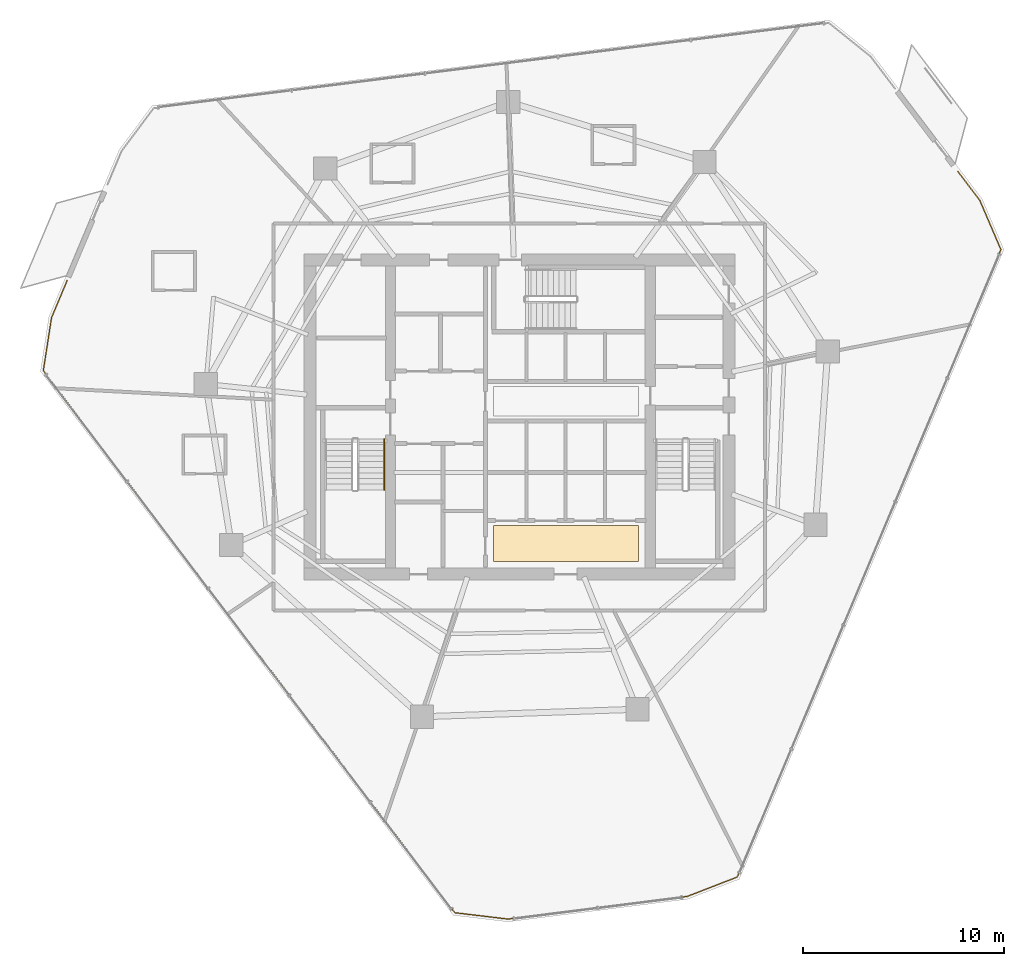
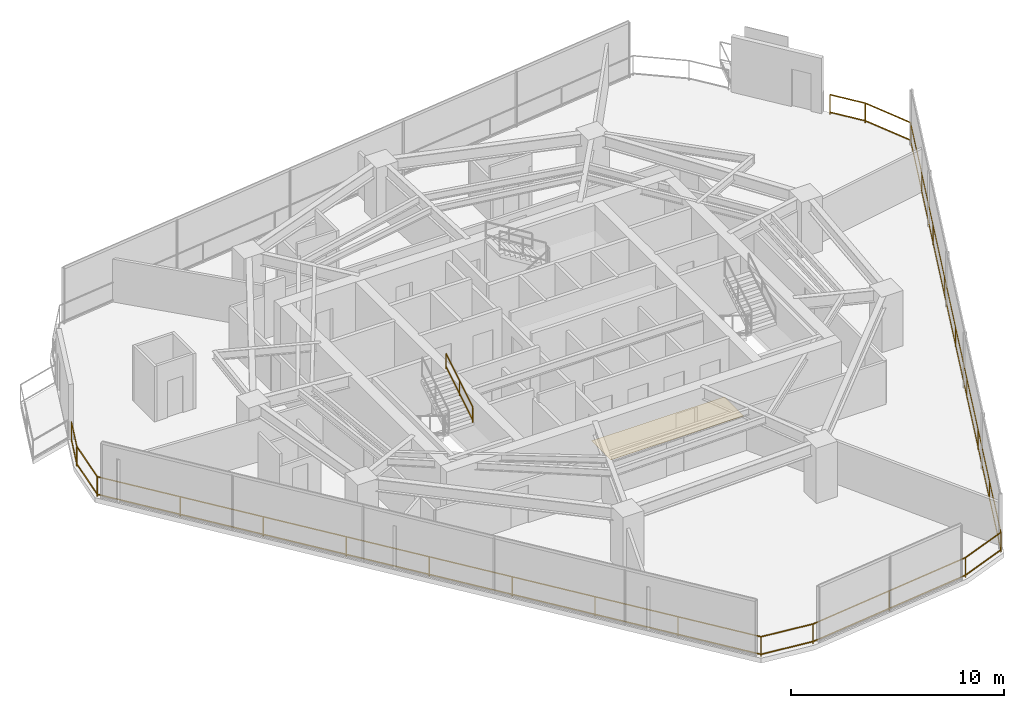
# One storey, part 29 of 30: 2 railings, 1 covering.
"""IFC4 building model written with IfcOpenShell, lengths in metres."""

from ifc_helpers import new_model, si_unit, direction, frame, origin, origin_2d, place, context, subcontext, project, spatial, rectangle, extrude, material, layer, layer_set, type_object, element, save


model = new_model("IFC4")

# Units and contexts
model_context = context("Model", 3, precision=1e-05, world=origin(), true_north=direction((0.0, 1.0)))
body_context = subcontext(model_context, "Body", "Model", "MODEL_VIEW")
ifc_project = project(units=[si_unit("LENGTHUNIT", "METRE"), si_unit("AREAUNIT", "SQUARE_METRE"), si_unit("VOLUMEUNIT", "CUBIC_METRE"), si_unit("PLANEANGLEUNIT", "RADIAN"), si_unit("MASSUNIT", "GRAM", prefix="KILO")], contexts=[model_context])

# Site, building, storey
site_placement = place(None, origin())
site = spatial("IfcSite", under=ifc_project, at=site_placement, CompositionType="ELEMENT")
building_placement = place(site_placement, origin())
building = spatial("IfcBuilding", under=site, at=building_placement, Name="Qarnah Convention Tower", CompositionType="ELEMENT")
storey_placement = place(building_placement, frame((0.0, 0.0, 93.60009765625)))
storey = spatial("IfcBuildingStorey", under=building, at=storey_placement, Name="L24", CompositionType="ELEMENT", Elevation=93.60009765625)

# Covering
ifc_material_1 = material(Name="Porcelain stone floor tile", Category="masonry")
ifc_layer = layer(ifc_material_1, 0.02001953125)
ifc_layer_set = layer_set([ifc_layer], Name="Porcelain stone floor tile")
covering_type = type_object("IfcCoveringType", Name="COV-FLOOR-20", PredefinedType="FLOORING", material=ifc_layer_set)
covering_placement = place(storey_placement, frame((39.52001953125, 20.1201171875, 0.0), z_axis=(0.0, 0.0, 1.0), x_axis=(1.0, 0.0, 0.0)))
element("IfcCovering", 1, at=covering_placement, inside=storey, type_object=covering_type, Name="L24 lift lobby porcelain stone flooring", PredefinedType="FLOORING", context=body_context, shape_type="SweptSolid", body=[
    extrude(rectangle(XDim=7.199951171875, YDim=1.800048828125, at=origin_2d()), origin(), (0.0, 0.0, 1.0), 0.02001953125),
])

# Railings
ifc_material_2 = material(Name="Black anodised aluminium", Category="aluminium")
railing_type_1 = type_object("IfcRailingType", Name="RL-EXT-GUARD-1150", PredefinedType="GUARDRAIL", material=ifc_material_2)
railing_1_placement = place(storey_placement, frame((58.972900390625, 38.5830078125, 0.0)))
element("IfcRailing", 2, at=railing_1_placement, inside=storey, type_object=railing_type_1, Name="L24 slab-edge perimeter safety guard 02", PredefinedType="GUARDRAIL", context=body_context, shape_type="SweptSolid", body=[
    extrude(rectangle(XDim=0.048095703125, YDim=0.048095703125, at=origin_2d()), frame((0.0, 0.0, 1.1259765625), z_axis=(0.604543669935, -0.796571999973, 0.0), x_axis=(0.796571999973, 0.604543669935, 0.0)), (0.0, 0.0, 1.0), 1.801513671875),
    extrude(rectangle(XDim=0.048095703125, YDim=0.048095703125, at=origin_2d()), frame((0.0, 0.0, 0.1201171875), z_axis=(0.604543669935, -0.796571999973, 0.0), x_axis=(0.796571999973, 0.604543669935, 0.0)), (0.0, 0.0, 1.0), 1.801513671875),
    extrude(rectangle(XDim=0.048095703125, YDim=0.048095703125, at=origin_2d()), frame((1.089111328125, -1.43505859375, 1.1259765625), z_axis=(0.39389712528, -0.919154532544, 0.0), x_axis=(0.919154532544, 0.39389712528, 0.0)), (0.0, 0.0, 1.0), 2.65771484375),
    extrude(rectangle(XDim=0.048095703125, YDim=0.048095703125, at=origin_2d()), frame((1.089111328125, -1.43505859375, 0.1201171875), z_axis=(0.39389712528, -0.919154532544, 0.0), x_axis=(0.919154532544, 0.39389712528, 0.0)), (0.0, 0.0, 1.0), 2.65771484375),
    extrude(rectangle(XDim=0.048095703125, YDim=0.048095703125, at=origin_2d()), frame((2.135986328125, -3.8779296875, 1.1259765625), z_axis=(-0.387520673589, -0.921861013136, 0.0), x_axis=(0.921861013136, -0.387520673589, 0.0)), (0.0, 0.0, 1.0), 33.785888671875),
    extrude(rectangle(XDim=0.048095703125, YDim=0.048095703125, at=origin_2d()), frame((2.135986328125, -3.8779296875, 0.1201171875), z_axis=(-0.387520673589, -0.921861013136, 0.0), x_axis=(0.921861013136, -0.387520673589, 0.0)), (0.0, 0.0, 1.0), 33.785888671875),
    extrude(rectangle(XDim=0.048095703125, YDim=0.048095703125, at=origin_2d()), frame((-10.956787109375, -35.02392578125, 1.1259765625), z_axis=(-0.932321495319, -0.361630514982, 0.0), x_axis=(0.361630514982, -0.932321495319, 0.0)), (0.0, 0.0, 1.0), 2.657958984375),
    extrude(rectangle(XDim=0.048095703125, YDim=0.048095703125, at=origin_2d()), frame((-10.956787109375, -35.02392578125, 0.1201171875), z_axis=(-0.932321495319, -0.361630514982, 0.0), x_axis=(0.361630514982, -0.932321495319, 0.0)), (0.0, 0.0, 1.0), 2.657958984375),
    extrude(rectangle(XDim=0.048095703125, YDim=0.048095703125, at=origin_2d()), frame((-13.434814453125, -35.985107421875, 1.1259765625), z_axis=(-0.99210568885, -0.125404553949, 0.0), x_axis=(0.125404553949, -0.99210568885, 0.0)), (0.0, 0.0, 1.0), 8.970947265625),
    extrude(rectangle(XDim=0.048095703125, YDim=0.048095703125, at=origin_2d()), frame((-13.434814453125, -35.985107421875, 0.1201171875), z_axis=(-0.99210568885, -0.125404553949, 0.0), x_axis=(0.125404553949, -0.99210568885, 0.0)), (0.0, 0.0, 1.0), 8.970947265625),
    extrude(rectangle(XDim=0.048095703125, YDim=0.048095703125, at=origin_2d()), frame((-22.3349609375, -37.110107421875, 1.1259765625), z_axis=(-0.992942757339, 0.118594606321, 0.0), x_axis=(-0.118594606321, -0.992942757339, 0.0)), (0.0, 0.0, 1.0), 2.65771484375),
    extrude(rectangle(XDim=0.048095703125, YDim=0.048095703125, at=origin_2d()), frame((-22.3349609375, -37.110107421875, 0.1201171875), z_axis=(-0.992942757339, 0.118594606321, 0.0), x_axis=(-0.118594606321, -0.992942757339, 0.0)), (0.0, 0.0, 1.0), 2.65771484375),
    extrude(rectangle(XDim=0.048095703125, YDim=0.048095703125, at=origin_2d()), frame((-24.973876953125, -36.794921875, 1.1259765625), z_axis=(-0.604631742116, 0.796505151537, 0.0), x_axis=(-0.796505151537, -0.604631742116, 0.0)), (0.0, 0.0, 1.0), 33.787353515625),
    extrude(rectangle(XDim=0.048095703125, YDim=0.048095703125, at=origin_2d()), frame((-24.973876953125, -36.794921875, 0.1201171875), z_axis=(-0.604631742116, 0.796505151537, 0.0), x_axis=(-0.796505151537, -0.604631742116, 0.0)), (0.0, 0.0, 1.0), 33.787353515625),
    extrude(rectangle(XDim=0.048095703125, YDim=0.048095703125, at=origin_2d()), frame((-45.40283203125, -9.883056640625, 1.1259765625), z_axis=(0.153099204859, 0.988210824405, 0.0), x_axis=(-0.988210824405, 0.153099204859, 0.0)), (0.0, 0.0, 1.0), 2.658203125),
    extrude(rectangle(XDim=0.048095703125, YDim=0.048095703125, at=origin_2d()), frame((-45.40283203125, -9.883056640625, 0.1201171875), z_axis=(0.153099204859, 0.988210824405, 0.0), x_axis=(-0.988210824405, 0.153099204859, 0.0)), (0.0, 0.0, 1.0), 2.658203125),
    extrude(rectangle(XDim=0.048095703125, YDim=0.048095703125, at=origin_2d()), frame((-44.995849609375, -7.256103515625, 1.1259765625), z_axis=(0.387389337747, 0.921916211486, 0.0), x_axis=(-0.921916211486, 0.387389337747, 0.0)), (0.0, 0.0, 1.0), 2.010986328125),
    extrude(rectangle(XDim=0.048095703125, YDim=0.048095703125, at=origin_2d()), frame((-44.995849609375, -7.256103515625, 0.1201171875), z_axis=(0.387389337747, 0.921916211486, 0.0), x_axis=(-0.921916211486, 0.387389337747, 0.0)), (0.0, 0.0, 1.0), 2.010986328125),
    extrude(rectangle(XDim=0.0419921875, YDim=0.0419921875, at=origin_2d()), origin(), (0.0, 0.0, 1.0), 1.101806640625),
    extrude(rectangle(XDim=0.0419921875, YDim=0.0419921875, at=origin_2d()), frame((1.089111328125, -1.43505859375, 0.0)), (0.0, 0.0, 1.0), 1.101806640625),
    extrude(rectangle(XDim=0.0419921875, YDim=0.0419921875, at=origin_2d()), frame((2.135986328125, -3.8779296875, 0.0)), (0.0, 0.0, 1.0), 1.101806640625),
    extrude(rectangle(XDim=0.0419921875, YDim=0.0419921875, at=origin_2d()), frame((0.49951171875, -7.771240234375, 0.0)), (0.0, 0.0, 1.0), 1.101806640625),
    extrude(rectangle(XDim=0.0419921875, YDim=0.0419921875, at=origin_2d()), frame((-1.13720703125, -11.66455078125, 0.0)), (0.0, 0.0, 1.0), 1.101806640625),
    extrude(rectangle(XDim=0.0419921875, YDim=0.0419921875, at=origin_2d()), frame((-2.77392578125, -15.5576171875, 0.0)), (0.0, 0.0, 1.0), 1.101806640625),
    extrude(rectangle(XDim=0.0419921875, YDim=0.0419921875, at=origin_2d()), frame((-4.410400390625, -19.450927734375, 0.0)), (0.0, 0.0, 1.0), 1.101806640625),
    extrude(rectangle(XDim=0.0419921875, YDim=0.0419921875, at=origin_2d()), frame((-6.046875, -23.34423828125, 0.0)), (0.0, 0.0, 1.0), 1.101806640625),
    extrude(rectangle(XDim=0.0419921875, YDim=0.0419921875, at=origin_2d()), frame((-7.68359375, -27.2373046875, 0.0)), (0.0, 0.0, 1.0), 1.101806640625),
    extrude(rectangle(XDim=0.0419921875, YDim=0.0419921875, at=origin_2d()), frame((-9.3203125, -31.130615234375, 0.0)), (0.0, 0.0, 1.0), 1.101806640625),
    extrude(rectangle(XDim=0.0419921875, YDim=0.0419921875, at=origin_2d()), frame((-10.956787109375, -35.02392578125, 0.0)), (0.0, 0.0, 1.0), 1.101806640625),
    extrude(rectangle(XDim=0.0419921875, YDim=0.0419921875, at=origin_2d()), frame((-13.434814453125, -35.985107421875, 0.0)), (0.0, 0.0, 1.0), 1.101806640625),
    extrude(rectangle(XDim=0.0419921875, YDim=0.0419921875, at=origin_2d()), frame((-17.884765625, -36.547607421875, 0.0)), (0.0, 0.0, 1.0), 1.101806640625),
    extrude(rectangle(XDim=0.0419921875, YDim=0.0419921875, at=origin_2d()), frame((-22.3349609375, -37.110107421875, 0.0)), (0.0, 0.0, 1.0), 1.101806640625),
    extrude(rectangle(XDim=0.0419921875, YDim=0.0419921875, at=origin_2d()), frame((-24.973876953125, -36.794921875, 0.0)), (0.0, 0.0, 1.0), 1.101806640625),
    extrude(rectangle(XDim=0.0419921875, YDim=0.0419921875, at=origin_2d()), frame((-27.527587890625, -33.430908203125, 0.0)), (0.0, 0.0, 1.0), 1.101806640625),
    extrude(rectangle(XDim=0.0419921875, YDim=0.0419921875, at=origin_2d()), frame((-30.0810546875, -30.06689453125, 0.0)), (0.0, 0.0, 1.0), 1.101806640625),
    extrude(rectangle(XDim=0.0419921875, YDim=0.0419921875, at=origin_2d()), frame((-32.634765625, -26.702880859375, 0.0)), (0.0, 0.0, 1.0), 1.101806640625),
    extrude(rectangle(XDim=0.0419921875, YDim=0.0419921875, at=origin_2d()), frame((-35.1884765625, -23.3388671875, 0.0)), (0.0, 0.0, 1.0), 1.101806640625),
    extrude(rectangle(XDim=0.0419921875, YDim=0.0419921875, at=origin_2d()), frame((-37.741943359375, -19.97509765625, 0.0)), (0.0, 0.0, 1.0), 1.101806640625),
    extrude(rectangle(XDim=0.0419921875, YDim=0.0419921875, at=origin_2d()), frame((-40.295654296875, -16.611083984375, 0.0)), (0.0, 0.0, 1.0), 1.101806640625),
    extrude(rectangle(XDim=0.0419921875, YDim=0.0419921875, at=origin_2d()), frame((-42.84912109375, -13.2470703125, 0.0)), (0.0, 0.0, 1.0), 1.101806640625),
    extrude(rectangle(XDim=0.0419921875, YDim=0.0419921875, at=origin_2d()), frame((-45.40283203125, -9.883056640625, 0.0)), (0.0, 0.0, 1.0), 1.101806640625),
    extrude(rectangle(XDim=0.0419921875, YDim=0.0419921875, at=origin_2d()), frame((-44.995849609375, -7.256103515625, 0.0)), (0.0, 0.0, 1.0), 1.101806640625),
    extrude(rectangle(XDim=0.0419921875, YDim=0.0419921875, at=origin_2d()), frame((-44.216796875, -5.402099609375, 0.0)), (0.0, 0.0, 1.0), 1.101806640625),
])
ifc_material_3 = material(Name="Structural steel S355JR", Category="steel")
railing_type_2 = type_object("IfcRailingType", Name="RL-STAIR-HAND-900", PredefinedType="HANDRAIL", material=ifc_material_3)
railing_2_placement = place(storey_placement, frame((30.5, 22.780029296875, 1.8974609375)))
element("IfcRailing", 3, at=railing_2_placement, inside=storey, type_object=railing_type_2, Name="L24 ST-1 stair handrail 2", PredefinedType="HANDRAIL", context=body_context, shape_type="SweptSolid", body=[
    extrude(rectangle(XDim=0.048095703125, YDim=0.048095703125, at=origin_2d()), frame((0.0, 0.0, 0.8759765625), z_axis=(0.0, 0.851400495292, 0.524516154772), x_axis=(-1.0, 0.0, 0.0)), (0.0, 0.0, 1.0), 2.9599609375),
    extrude(rectangle(XDim=0.048095703125, YDim=0.048095703125, at=origin_2d()), frame((0.0, 0.0, 0.1201171875), z_axis=(0.0, 0.851400495292, 0.524516154772), x_axis=(-1.0, 0.0, 0.0)), (0.0, 0.0, 1.0), 2.9599609375),
    extrude(rectangle(XDim=0.0419921875, YDim=0.0419921875, at=origin_2d()), origin(), (0.0, 0.0, 1.0), 0.851806640625),
    extrude(rectangle(XDim=0.0419921875, YDim=0.0419921875, at=origin_2d()), frame((0.0, 1.260009765625, 0.7763671875)), (0.0, 0.0, 1.0), 0.851806640625),
    extrude(rectangle(XDim=0.0419921875, YDim=0.0419921875, at=origin_2d()), frame((0.0, 2.52001953125, 1.552490234375)), (0.0, 0.0, 1.0), 0.851806640625),
])

save(model, "model.ifc")
